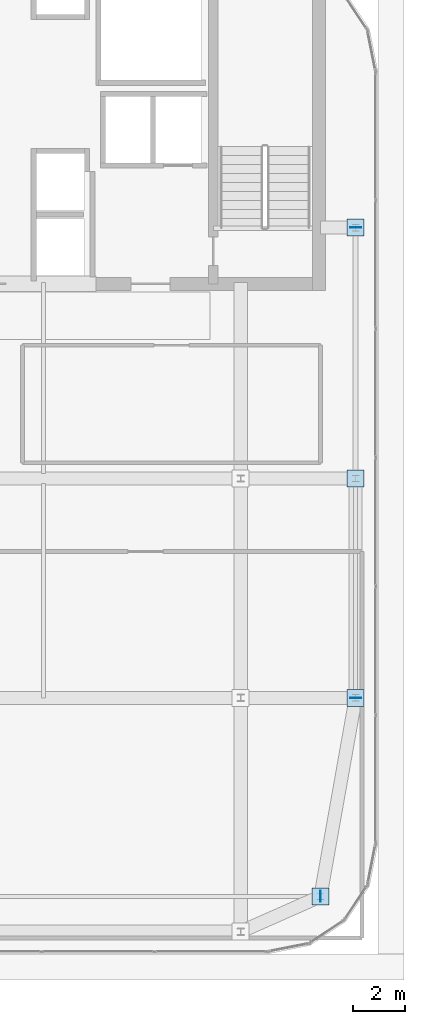
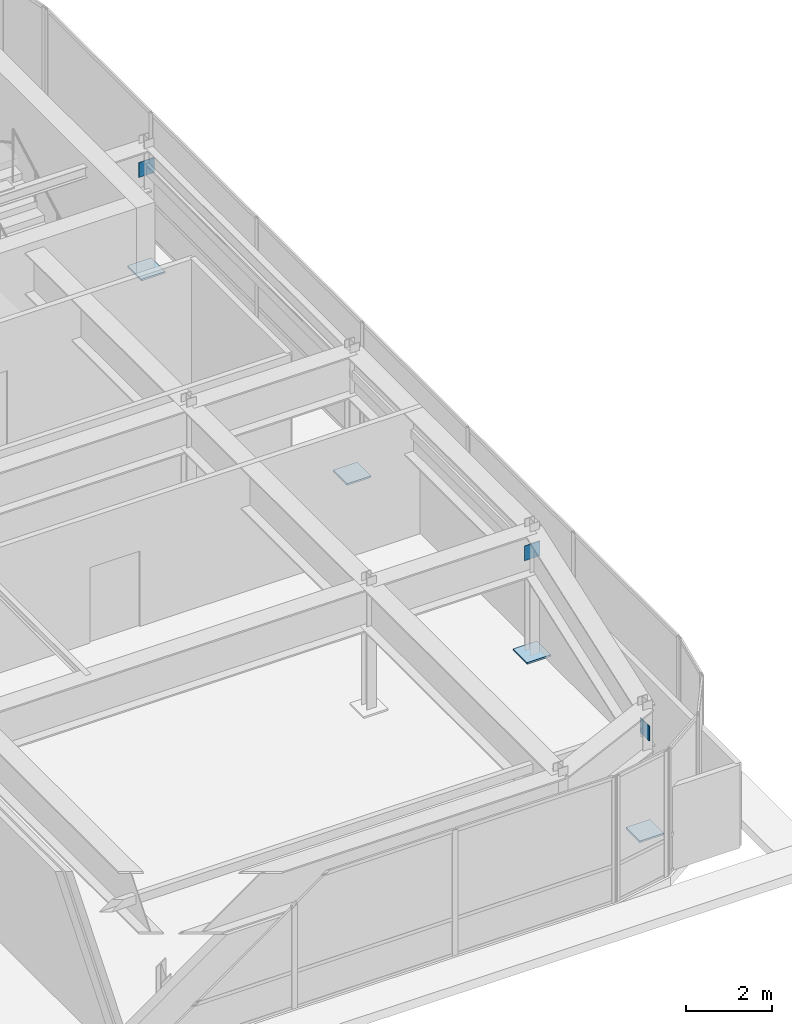
# One storey, part 31 of 35: 7 plates.
"""IFC4 building model written with IfcOpenShell, lengths in metres."""

from ifc_helpers import new_model, si_unit, direction, frame, origin, origin_2d, place, context, subcontext, project, spatial, rectangle, extrude, source, transform, mapped, material, layer, layer_set, type_object, type_shapes, element, save


model = new_model("IFC4")

# Units and contexts
model_context = context("Model", 3, precision=1e-05, world=origin(), true_north=direction((0.0, 1.0)))
body_context = subcontext(model_context, "Body", "Model", "MODEL_VIEW")
ifc_project = project(units=[si_unit("LENGTHUNIT", "METRE"), si_unit("AREAUNIT", "SQUARE_METRE"), si_unit("VOLUMEUNIT", "CUBIC_METRE"), si_unit("PLANEANGLEUNIT", "RADIAN"), si_unit("MASSUNIT", "GRAM", prefix="KILO")], contexts=[model_context])

# Site, building, storey
site_placement = place(None, origin())
site = spatial("IfcSite", under=ifc_project, at=site_placement, CompositionType="ELEMENT")
building_placement = place(site_placement, origin())
building = spatial("IfcBuilding", under=site, at=building_placement, Name="Tolvann Quenvar Hotel", CompositionType="ELEMENT")
storey_placement = place(building_placement, frame((0.0, 0.0, 290.949951171875)))
storey = spatial("IfcBuildingStorey", under=building, at=storey_placement, Name="L77", CompositionType="ELEMENT", Elevation=290.949951171875)

# Plates
ifc_material = material(Name="Steel Grade 350", Category="steel")
ifc_layer_1 = layer(ifc_material, 0.050048828125)
ifc_layer_set_1 = layer_set([ifc_layer_1], Name="Steel Grade 350")
plate_type_1 = type_object("IfcPlateType", Name="PLT_BASE_50", PredefinedType="SHEET", material=ifc_layer_set_1)
shared_shape_1 = source(origin(), body_context, "Body", "SweptSolid", [
    extrude(rectangle(XDim=0.64990234375, YDim=0.64990234375, at=origin_2d()), origin(), (0.0, 0.0, 1.0), 0.050048828125),
])
type_shapes(plate_type_1, [shared_shape_1])
for number, where, z_axis, x_axis, name in (
    (1, (35.800048828125, 8.39990234375, 0.0), (0.0, 0.0, 1.0), (1.0, 0.0, 0.0), "Crown Frame Base Plate G2"),
    (2, (37.14990234375, 16.0, 0.0), (0.0, 0.0, 1.0), (1.0, 0.0, 0.0), "Crown Frame Base Plate G4"),
    (3, (37.14990234375, 24.39990234375, 0.0), (0.0, 0.0, 1.0), (1.0, 0.0, 0.0), "Crown Frame Base Plate G5"),
    (4, (37.14990234375, 34.0, 0.0), (0.0, 0.0, 1.0), (1.0, 0.0, 0.0), "Crown Frame Base Plate GD6"),
):
    element("IfcPlate", number, at=place(storey_placement, frame(where, z_axis=z_axis, x_axis=x_axis)), inside=storey, type_object=plate_type_1, Name=name, PredefinedType="SHEET", context=body_context, shape_type="MappedRepresentation", body=[
        mapped(shared_shape_1, transform((0.0, 0.0, 0.0), x_axis=(1.0, 0.0, 0.0), y_axis=(0.0, 1.0, 0.0), z_axis=(0.0, 0.0, 1.0), scale=1.0)),
    ])
ifc_layer_2 = layer(ifc_material, 0.02490234375)
ifc_layer_set_2 = layer_set([ifc_layer_2], Name="Steel Grade 350")
plate_type_2 = type_object("IfcPlateType", Name="PLT_ENDCAP_25", PredefinedType="SHEET", material=ifc_layer_set_2)
shared_shape_2 = source(origin(), body_context, "Body", "SweptSolid", [
    extrude(rectangle(XDim=0.02490234375, YDim=0.419921875, at=origin_2d()), origin(), (0.0, 0.0, 1.0), 0.419921875),
])
plate_placement = place(storey_placement, frame((35.800048828125, 8.39990234375, 2.719970703125), z_axis=(0.0, 0.0, 1.0), x_axis=(1.0, 0.0, 0.0)))
element("IfcPlate", 5, at=plate_placement, inside=storey, type_object=plate_type_2, Name="Crown Ring End Cap Plate EC-1 (L77-1-2)", PredefinedType="SHEET", context=body_context, shape_type="MappedRepresentation", body=[
    mapped(shared_shape_2, transform((0.0, 0.0, 0.0), x_axis=(1.0, 0.0, 0.0), y_axis=(0.0, 1.0, 0.0), z_axis=(0.0, 0.0, 1.0), scale=1.0)),
])
shared_shape_3 = source(origin(), body_context, "Body", "SweptSolid", [
    extrude(rectangle(XDim=0.419921875, YDim=0.02490234375, at=origin_2d()), origin(), (0.0, 0.0, 1.0), 0.419921875),
])
type_shapes(plate_type_2, [shared_shape_2, shared_shape_3])
for number, where, z_axis, x_axis, name in (
    (6, (37.14990234375, 16.0, 2.719970703125), (0.0, 0.0, 1.0), (1.0, 0.0, 0.0), "Crown Ring End Cap Plate EC-1 (L77-3-1)"),
    (7, (37.14990234375, 34.0, 2.719970703125), (0.0, 0.0, 1.0), (1.0, 0.0, 0.0), "Crown Ring End Cap Plate EC-1 (L77-3-2)"),
):
    element("IfcPlate", number, at=place(storey_placement, frame(where, z_axis=z_axis, x_axis=x_axis)), inside=storey, type_object=plate_type_2, Name=name, PredefinedType="SHEET", context=body_context, shape_type="MappedRepresentation", body=[
        mapped(shared_shape_3, transform((0.0, 0.0, 0.0), x_axis=(1.0, 0.0, 0.0), y_axis=(0.0, 1.0, 0.0), z_axis=(0.0, 0.0, 1.0), scale=1.0)),
    ])

save(model, "model.ifc")
